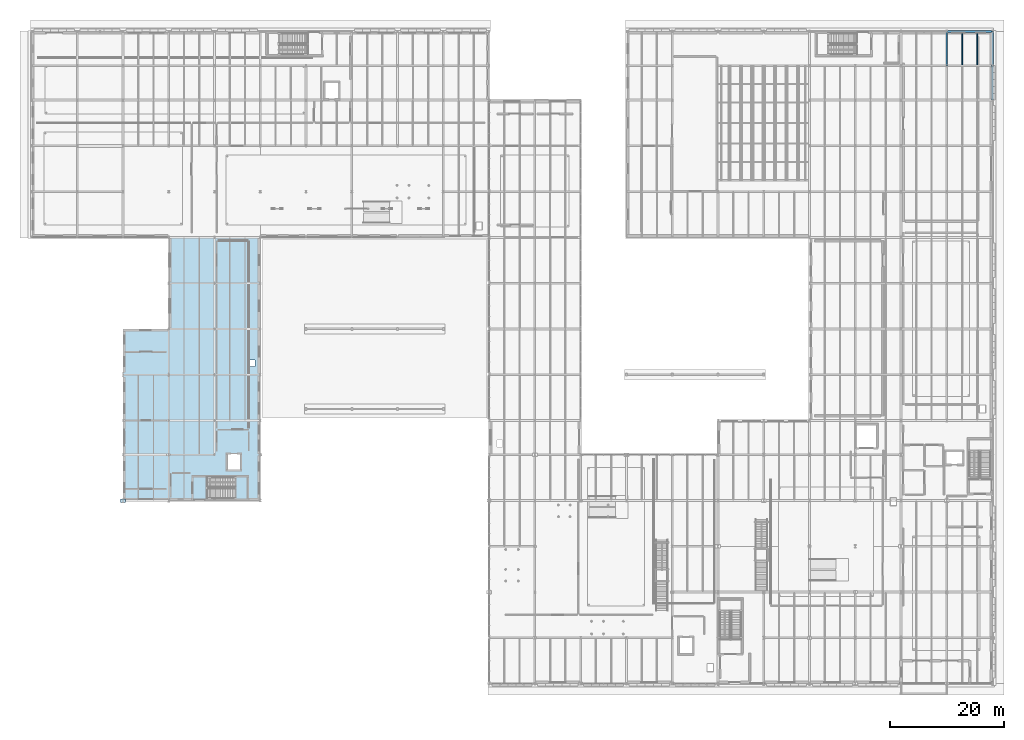
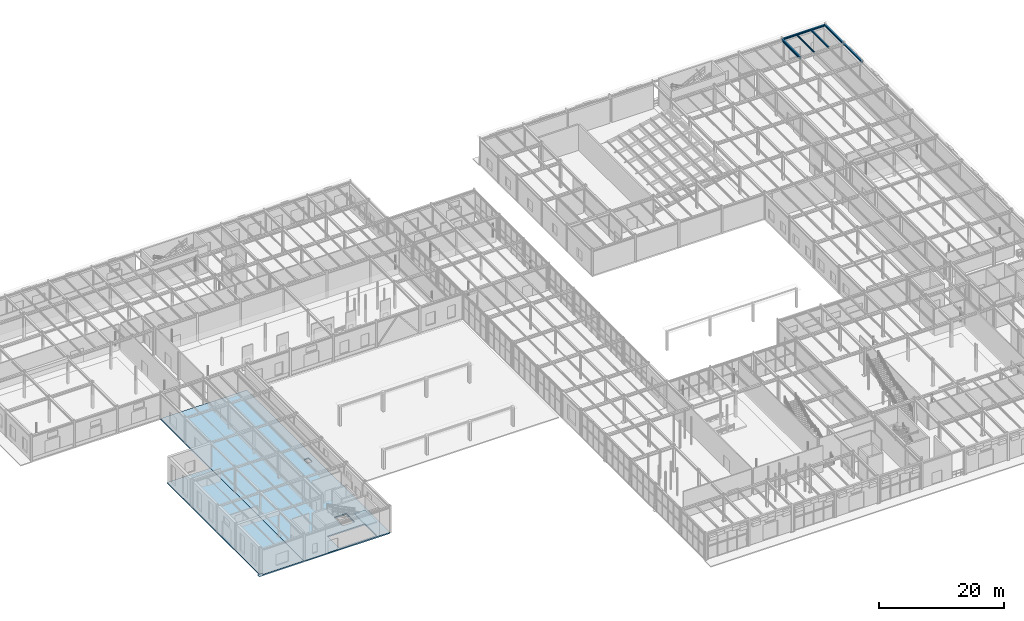
# One storey, part 59 of 129: 6 beams, 3 slabs, 1 plate, 1 element without a shape of its own.
"""IFC4 building model written with IfcOpenShell, lengths in metres."""

from ifc_helpers import new_model, si_unit, direction, frame, origin, origin_2d, place, context, subcontext, project, spatial, polyline, rectangle, i_section, outline, extrude, material, layer, layer_set, material_profile, profile_set, type_object, element, aggregate, save


model = new_model("IFC4")

# Units and contexts
model_context = context("Model", 3, precision=1e-05, world=origin(), true_north=direction((0.0, 1.0)))
body_context = subcontext(model_context, "Body", "Model", "MODEL_VIEW")
ifc_project = project(units=[si_unit("LENGTHUNIT", "METRE"), si_unit("AREAUNIT", "SQUARE_METRE"), si_unit("VOLUMEUNIT", "CUBIC_METRE"), si_unit("PLANEANGLEUNIT", "RADIAN"), si_unit("MASSUNIT", "GRAM", prefix="KILO")], contexts=[model_context])

# Site, building, storey
site_placement = place(None, origin())
site = spatial("IfcSite", under=ifc_project, at=site_placement, CompositionType="ELEMENT")
building_placement = place(site_placement, origin())
building = spatial("IfcBuilding", under=site, at=building_placement, Name="Sundkrona Museum", CompositionType="ELEMENT")
storey_placement = place(building_placement, origin())
storey = spatial("IfcBuildingStorey", under=building, at=storey_placement, Name="L00", CompositionType="ELEMENT", Elevation=0.0)

# Beams
ifc_material_1 = material(Name="Steel S355J2", Category="steel")
ifc_material_profile_1 = material_profile(ifc_material_1, i_section(OverallWidth=0.300048828125, OverallDepth=0.43994140625, WebThickness=0.011474609375, FlangeThickness=0.02099609375, FilletRadius=0.027099609375, at=origin_2d()), Name="HEA 450")
ifc_profile_set_1 = profile_set([ifc_material_profile_1], Name="Steel S355J2")
beam_type_1 = type_object("IfcBeamType", Name="B-HEA450", PredefinedType="BEAM", material=ifc_profile_set_1)
beam_1_placement = place(storey_placement, frame((160.0, 108.0, 4.830078125), z_axis=(0.0, 1.0, 0.0), x_axis=(-1.0, 0.0, 0.0)))
element("IfcBeam", 1, at=beam_1_placement, inside=storey, type_object=beam_type_1, Name="L00 Girder Y-0792", PredefinedType="BEAM", context=body_context, shape_type="SweptSolid", body=[
    extrude(i_section(OverallWidth=0.300048828125, OverallDepth=0.43994140625, WebThickness=0.011474609375, FlangeThickness=0.02099609375, FilletRadius=0.027099609375, at=origin_2d()), origin(), (0.0, 0.0, 1.0), 6.0),
])
ifc_material_profile_2 = material_profile(ifc_material_1, i_section(OverallWidth=0.159912109375, OverallDepth=0.330078125, WebThickness=0.007568359375, FlangeThickness=0.011474609375, FilletRadius=0.01806640625, at=origin_2d()), Name="IPE 330")
ifc_profile_set_2 = profile_set([ifc_material_profile_2], Name="Steel S355J2")
beam_type_2 = type_object("IfcBeamType", Name="J-IPE330", PredefinedType="JOIST", material=ifc_profile_set_2)
for number, where, z_axis, x_axis, name in (
    (2, (162.666748046875, 108.14404296875, 4.885009765625), (0.0, 1.0, 0.0), (-1.0, 0.0, 0.0), "L00 Composite Joist 0571"),
    (3, (165.333251953125, 108.14404296875, 4.885009765625), (0.0, 1.0, 0.0), (-1.0, 0.0, 0.0), "L00 Composite Joist 0572"),
):
    element("IfcBeam", number, at=place(storey_placement, frame(where, z_axis=z_axis, x_axis=x_axis)), inside=storey, type_object=beam_type_2, Name=name, PredefinedType="JOIST", context=body_context, shape_type="SweptSolid", body=[
        extrude(i_section(OverallWidth=0.159912109375, OverallDepth=0.330078125, WebThickness=0.007568359375, FlangeThickness=0.011474609375, FilletRadius=0.01806640625, at=origin_2d()), origin(), (0.0, 0.0, 1.0), 5.7119140625),
    ])
ifc_material_profile_3 = material_profile(ifc_material_1, i_section(OverallWidth=0.300048828125, OverallDepth=0.320068359375, WebThickness=0.011474609375, FlangeThickness=0.0205078125, FilletRadius=0.027099609375, at=origin_2d()), Name="HEB 320")
ifc_profile_set_3 = profile_set([ifc_material_profile_3], Name="Steel S355J2")
beam_type_3 = type_object("IfcBeamType", Name="SP-HEB320", PredefinedType="SPANDREL", material=ifc_profile_set_3)
beam_2_placement = place(storey_placement, frame((160.0, 114.0, 4.889892578125), z_axis=(1.0, 0.0, 0.0), x_axis=(0.0, 1.0, 0.0)))
element("IfcBeam", 4, at=beam_2_placement, inside=storey, type_object=beam_type_3, Name="L00 Girder X-0614", PredefinedType="SPANDREL", context=body_context, shape_type="SweptSolid", body=[
    extrude(i_section(OverallWidth=0.300048828125, OverallDepth=0.320068359375, WebThickness=0.011474609375, FlangeThickness=0.0205078125, FilletRadius=0.027099609375, at=origin_2d()), origin(), (0.0, 0.0, 1.0), 8.0),
])
for number, where, z_axis, x_axis, name in (
    (5, (168.0, 102.0, 4.889892578125), (0.0, 1.0, 0.0), (-1.0, 0.0, 0.0), "L00 Girder Y-0806"),
    (6, (168.0, 108.0, 4.889892578125), (0.0, 1.0, 0.0), (-1.0, 0.0, 0.0), "L00 Girder Y-0807"),
):
    element("IfcBeam", number, at=place(storey_placement, frame(where, z_axis=z_axis, x_axis=x_axis)), inside=storey, type_object=beam_type_3, Name=name, PredefinedType="SPANDREL", context=body_context, shape_type="SweptSolid", body=[
        extrude(i_section(OverallWidth=0.300048828125, OverallDepth=0.320068359375, WebThickness=0.011474609375, FlangeThickness=0.0205078125, FilletRadius=0.027099609375, at=origin_2d()), origin(), (0.0, 0.0, 1.0), 6.0),
    ])

# Plate
ifc_layer_1 = layer(ifc_material_1, 0.054931640625)
ifc_layer_set_1 = layer_set([ifc_layer_1], Name="Steel S355J2")
plate_type = type_object("IfcPlateType", Name="BP-1", PredefinedType="USERDEFINED", material=ifc_layer_set_1)
plate_placement = place(storey_placement, frame((16.0, 32.0, 0.0), z_axis=(0.0, 0.0, 1.0), x_axis=(1.0, 0.0, 0.0)))
element("IfcPlate", 7, at=plate_placement, inside=storey, type_object=plate_type, Name="Column Base Plate E/3", ObjectType="GUSSET PLATE", PredefinedType="USERDEFINED", context=body_context, shape_type="SweptSolid", body=[
    extrude(rectangle(XDim=0.840087890625, YDim=0.60009765625, at=origin_2d()), origin(), (0.0, 0.0, 1.0), 0.054931640625),
])

# Slabs
ifc_material_2 = material(Name="Concrete C35/45", Category="concrete")
ifc_layer_2 = layer(ifc_material_2, 0.239990234375)
ifc_layer_set_2 = layer_set([ifc_layer_2], Name="Concrete C35/45")
slab_type_1 = type_object("IfcSlabType", Name="SL-FL-240", PredefinedType="FLOOR", material=ifc_layer_set_2)
slab_1_placement = place(storey_placement, frame((0.0, 0.0, -0.239990234375)))
element("IfcSlab", 8, at=slab_1_placement, inside=storey, type_object=slab_type_1, Name="L00 Standard composite gallery floor slab 240 mm (SL-L00-V4L)", PredefinedType="FLOOR", context=body_context, shape_type="SweptSolid", body=[
    extrude(outline(polyline([(24.0, 32.0), (40.0, 32.0), (40.0, 78.0), (24.0, 78.0), (24.0, 32.0)]), holes=[polyline([(39.10009765625, 55.39990234375), (38.199951171875, 55.39990234375), (38.199951171875, 56.60009765625), (39.10009765625, 56.60009765625), (39.10009765625, 55.39990234375)]), polyline([(30.72509765625, 36.074951171875), (37.675048828125, 36.074951171875), (37.675048828125, 32.324951171875), (30.72509765625, 32.324951171875), (30.72509765625, 36.074951171875)]), polyline([(36.5, 37.39990234375), (34.300048828125, 37.39990234375), (34.300048828125, 40.10009765625), (36.5, 40.10009765625), (36.5, 37.39990234375)])]), origin(), (0.0, 0.0, 1.0), 0.239990234375),
])
ifc_layer_3 = layer(ifc_material_2, 0.260009765625)
ifc_layer_set_3 = layer_set([ifc_layer_3], Name="Concrete C35/45")
slab_type_2 = type_object("IfcSlabType", Name="SL-FL-260", PredefinedType="FLOOR", material=ifc_layer_set_3)
slab_2_placement = place(storey_placement, frame((0.0, 0.0, -0.260009765625)))
element("IfcSlab", 9, at=slab_2_placement, inside=storey, type_object=slab_type_2, Name="L00 Atrium and education composite floor slab 260 mm (SL-L00-V4C)", PredefinedType="FLOOR", context=body_context, shape_type="SweptSolid", body=[
    extrude(outline(polyline([(16.0, 32.0), (24.0, 32.0), (24.0, 62.0), (16.0, 62.0), (16.0, 32.0)])), origin(), (0.0, 0.0, 1.0), 0.260009765625),
])

# Stair, slab
stair_type = type_object("IfcStairType", Name="ST-DL-540", PredefinedType="HALF_TURN_STAIR", material=ifc_material_2)
stair_placement = place(storey_placement, origin())
stair = element("IfcStair", 10, at=stair_placement, inside=storey, type_object=stair_type, Name="L00 Protected Stair Core ST-4", PredefinedType="HALF_TURN_STAIR")
ifc_layer_4 = layer(ifc_material_2, 0.219970703125)
ifc_layer_set_4 = layer_set([ifc_layer_4], Name="Concrete C35/45")
slab_type_3 = type_object("IfcSlabType", Name="SL-LN-220", PredefinedType="LANDING", material=ifc_layer_set_4)
slab_3_placement = place(storey_placement, frame((0.0, 0.0, 2.47998046875)))
slab_3 = element("IfcSlab", 11, at=slab_3_placement, type_object=slab_type_3, Name="L00 Protected Stair Core ST-4 Landing 1", PredefinedType="LANDING", context=body_context, shape_type="SweptSolid", body=[
    extrude(outline(polyline([(35.715087890625, 32.300048828125), (37.699951171875, 32.300048828125), (37.699951171875, 36.10009765625), (35.715087890625, 36.10009765625), (35.715087890625, 32.300048828125)])), origin(), (0.0, 0.0, 1.0), 0.219970703125),
])
aggregate(stair, [slab_3])

save(model, "model.ifc")
